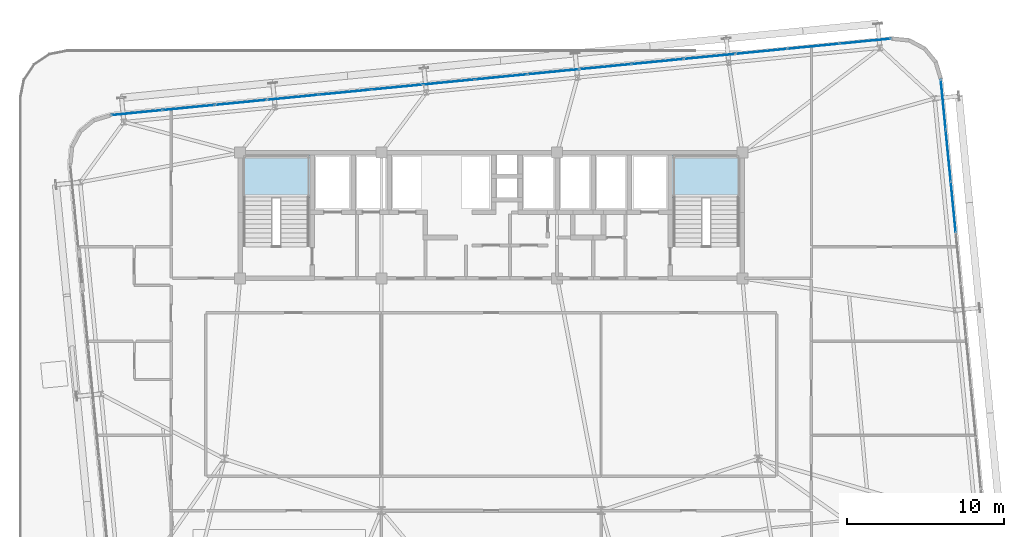
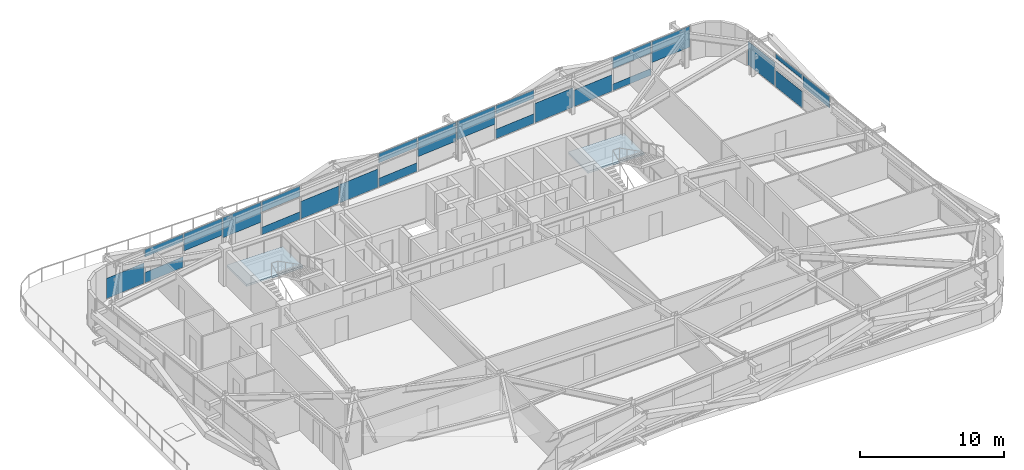
# One storey, part 35 of 51: 24 plates, 2 slabs, 4 elements without a shape of their own.
"""IFC4 building model written with IfcOpenShell, lengths in metres."""

import ifcopenshell
import ifcopenshell.guid

model = None  # the IFC model being written
_history = None  # IfcOwnerHistory: only IFC2X3 demands one
_inside = {}  # id of a spatial element -> (the spatial element, [elements in it])
_under = {}  # id of a project, library or spatial element -> (it, [spatial elements below it])
_declared = {}  # id of a project -> (the project, [libraries it declares])
_typed = {}  # id of a type object -> (the type object, [elements of that type])
_made_of = {}  # id of a material, layer set ... -> (it, [elements and type objects made of it])


def new_model(schema):
    """Start an empty IFC model of exactly this schema.

    Asked for "IFC4X3", IfcOpenShell would pick the latest addendum, in which some entities
    have other attributes; the version numbers below select the first issue.
    IFC2X3 requires an IfcOwnerHistory on every rooted entity: one is made here for all.
    """
    global model, _history
    if schema == "IFC4X3":
        model = ifcopenshell.file(schema_version=(4, 3, 0, 0))
    else:
        model = ifcopenshell.file(schema=schema)
    _inside.clear()
    _under.clear()
    _declared.clear()
    _typed.clear()
    _made_of.clear()
    _history = None
    if model.schema == "IFC2X3":
        org = make("IfcOrganization", Name="unknown")
        user = make(
            "IfcPersonAndOrganization",
            ThePerson=make("IfcPerson", FamilyName="unknown"),
            TheOrganization=org,
        )
        app = make(
            "IfcApplication",
            ApplicationDeveloper=org,
            Version="unknown",
            ApplicationFullName="unknown",
            ApplicationIdentifier="unknown",
        )
        _history = make(
            "IfcOwnerHistory",
            OwningUser=user,
            OwningApplication=app,
            ChangeAction="ADDED",
            CreationDate=0,
        )
    return model


def make(cls, **values):
    """One entity of the class cls with the attributes given. An attribute that is None is left unset."""
    return model.create_entity(
        cls, **{name: value for name, value in values.items() if value is not None}
    )


def rooted(cls, **values):
    """An entity with a GlobalId (a new one), such as an element, a storey or a relation."""
    return make(cls, GlobalId=ifcopenshell.guid.new(), OwnerHistory=_history, **values)


def si_unit(unit_type, name, prefix=None):
    """IfcSIUnit, for example si_unit("LENGTHUNIT", "METRE", prefix="MILLI")."""
    return make("IfcSIUnit", UnitType=unit_type, Prefix=prefix, Name=name)


def assignment(units):
    """IfcUnitAssignment: the units of a project."""
    return None if units is None else make("IfcUnitAssignment", Units=units)


def point(xyz):
    """IfcCartesianPoint."""
    return None if xyz is None else make("IfcCartesianPoint", Coordinates=xyz)


def direction(xyz):
    """IfcDirection."""
    return None if xyz is None else make("IfcDirection", DirectionRatios=xyz)


def frame(location, z_axis=None, x_axis=None):
    """IfcAxis2Placement3D, a coordinate frame: its origin and axes. An axis left out is left unset."""
    return make(
        "IfcAxis2Placement3D",
        Location=point(location),
        Axis=direction(z_axis),
        RefDirection=direction(x_axis),
    )


def frame_2d(location, x_axis=None):
    """IfcAxis2Placement2D, a coordinate frame in the plane: its origin and x axis."""
    return make(
        "IfcAxis2Placement2D", Location=point(location), RefDirection=direction(x_axis)
    )


def origin():
    """The frame at (0, 0, 0) with its axes left unset."""
    return frame((0.0, 0.0, 0.0))


def origin_2d():
    """The frame at (0, 0) in the plane with its x axis left unset."""
    return frame_2d((0.0, 0.0))


def place(relative_to, where):
    """IfcLocalPlacement: puts the frame where relative to a parent placement (None: the world)."""
    return make(
        "IfcLocalPlacement", PlacementRelTo=relative_to, RelativePlacement=where
    )


def context(
    kind, dimensions, precision=None, world=None, true_north=None, identifier=None
):
    """IfcGeometricRepresentationContext, for example the 3D "Model" context."""
    return make(
        "IfcGeometricRepresentationContext",
        ContextIdentifier=identifier,
        ContextType=kind,
        CoordinateSpaceDimension=dimensions,
        Precision=precision,
        WorldCoordinateSystem=world,
        TrueNorth=true_north,
    )


def subcontext(parent, identifier, kind, view, scale=None):
    """IfcGeometricRepresentationSubContext, for example "Body" below "Model"."""
    return make(
        "IfcGeometricRepresentationSubContext",
        ContextIdentifier=identifier,
        ContextType=kind,
        ParentContext=parent,
        TargetScale=scale,
        TargetView=view,
    )


def project(units=None, contexts=None):
    """IfcProject with its units and contexts."""
    return rooted(
        "IfcProject",
        Name="project",
        RepresentationContexts=contexts,
        UnitsInContext=assignment(units),
    )


def spatial(cls, under=None, at=None, **own):
    """A site, building, storey or space (cls), placed at a placement, below another one or the project."""
    s = rooted(cls, ObjectPlacement=at, **own)
    if under is not None:
        _under.setdefault(under.id(), (under, []))[1].append(s)
    return s


def polyline(points):
    """IfcPolyline through the points."""
    return make("IfcPolyline", Points=[point(p) for p in points])


def profile(cls, at=None, kind="AREA", **sizes):
    """A parametric profile (cls). Its sizes go by their IFC names, for example OverallWidth=200.0."""
    return make(cls, ProfileType=kind, Position=at, **sizes)


def rectangle(**sizes):
    """IfcRectangleProfileDef."""
    return profile("IfcRectangleProfileDef", **sizes)


def outline(outer, holes=None, kind="AREA"):
    """IfcArbitraryClosedProfileDef: a profile drawn as a closed curve; with holes, ...WithVoids."""
    if holes is None:
        return make("IfcArbitraryClosedProfileDef", ProfileType=kind, OuterCurve=outer)
    return make(
        "IfcArbitraryProfileDefWithVoids",
        ProfileType=kind,
        OuterCurve=outer,
        InnerCurves=holes,
    )


def extrude(swept, where, along, depth):
    """IfcExtrudedAreaSolid: the profile swept, set in the frame where, extruded along a direction by depth."""
    return make(
        "IfcExtrudedAreaSolid",
        SweptArea=swept,
        Position=where,
        ExtrudedDirection=direction(along),
        Depth=depth,
    )


def shape(context_of_items, identifier, shape_type, items):
    """IfcShapeRepresentation: the items that make up one representation, for example the "Body"."""
    return make(
        "IfcShapeRepresentation",
        ContextOfItems=context_of_items,
        RepresentationIdentifier=identifier,
        RepresentationType=shape_type,
        Items=items,
    )


def source(mapping_origin, context_of_items, identifier, shape_type, items):
    """IfcRepresentationMap: a shape defined once, which mapped items show again and again."""
    return make(
        "IfcRepresentationMap",
        MappingOrigin=mapping_origin,
        MappedRepresentation=shape(context_of_items, identifier, shape_type, items),
    )


def transform(
    local_origin,
    x_axis=None,
    y_axis=None,
    z_axis=None,
    scale=None,
    scale2=None,
    scale3=None,
    uniform=True,
):
    """IfcCartesianTransformationOperator3D, or its non-uniform kind. x_axis, y_axis, z_axis: its Axis1, 2, 3."""
    if uniform:
        return make(
            "IfcCartesianTransformationOperator3D",
            Axis1=direction(x_axis),
            Axis2=direction(y_axis),
            LocalOrigin=point(local_origin),
            Scale=scale,
            Axis3=direction(z_axis),
        )
    return make(
        "IfcCartesianTransformationOperator3DnonUniform",
        Axis1=direction(x_axis),
        Axis2=direction(y_axis),
        LocalOrigin=point(local_origin),
        Scale=scale,
        Axis3=direction(z_axis),
        Scale2=scale2,
        Scale3=scale3,
    )


def mapped(mapping_source, mapping_target):
    """IfcMappedItem: shows the shape of a source again, moved by a transform."""
    return make(
        "IfcMappedItem", MappingSource=mapping_source, MappingTarget=mapping_target
    )


def material(Name=None, Category=None):
    """IfcMaterial."""
    return make("IfcMaterial", Name=Name, Category=Category)


def layer(
    of_material, thickness, ventilated=None, Name=None, Category=None, Priority=None
):
    """IfcMaterialLayer: one layer of a wall or slab, of a material (None: an air gap)."""
    return make(
        "IfcMaterialLayer",
        Material=of_material,
        LayerThickness=thickness,
        IsVentilated=ventilated,
        Name=Name,
        Category=Category,
        Priority=Priority,
    )


def layer_set(layers, Name=None):
    """IfcMaterialLayerSet."""
    return make("IfcMaterialLayerSet", MaterialLayers=layers, LayerSetName=Name)


def made_of(thing, what):
    """Note that an element or type object is made of a material, layer set ...; save() writes the relation."""
    if what is not None:
        _made_of.setdefault(what.id(), (what, []))[1].append(thing)
    return thing


def type_object(cls, material=None, **own):
    """A type object (cls), such as IfcWallType, which elements share."""
    return made_of(rooted(cls, **own), material)


def element(
    cls,
    number,
    at=None,
    inside=None,
    cuts=None,
    type_object=None,
    material=None,
    context=None,
    identifier="Body",
    shape_type=None,
    held_by="IfcProductDefinitionShape",
    body=None,
    shapes=None,
    **own,
):
    """One element of the class cls, such as IfcWall. Its Tag is "e" and its number.

    at: its placement. inside: the storey or other place that contains it. cuts: it is an
    opening in that element (IfcRelVoidsElement). A single representation is given by context,
    identifier, shape_type and body (its items); several are given by shapes. held_by: the class
    of the entity that holds the representations. save() writes the other relations.
    """
    e = rooted(cls, Tag="e%d" % number, ObjectPlacement=at, **own)
    if body is not None:
        shapes = [shape(context, identifier, shape_type, body)]
    if shapes is not None:
        e.Representation = make(held_by, Representations=shapes)
    if inside is not None:
        _inside.setdefault(inside.id(), (inside, []))[1].append(e)
    if cuts is not None:
        rooted(
            "IfcRelVoidsElement", RelatingBuildingElement=cuts, RelatedOpeningElement=e
        )
    if type_object is not None:
        _typed.setdefault(type_object.id(), (type_object, []))[1].append(e)
    return made_of(e, material)


def aggregate(whole, parts):
    """IfcRelAggregates: a whole, such as a stair, and the parts it consists of."""
    return rooted("IfcRelAggregates", RelatingObject=whole, RelatedObjects=parts)


def save(model, path):
    """Write the relations noted so far, then the file.

    IfcRelAggregates (storeys below a building ...), IfcRelContainedInSpatialStructure (elements
    in a storey), IfcRelDefinesByType, IfcRelAssociatesMaterial and IfcRelDeclares: one each for
    every whole, place, type object, material and project.
    """
    for whole, parts in _under.values():
        aggregate(whole, parts)
    for where, things in _inside.values():
        rooted(
            "IfcRelContainedInSpatialStructure",
            RelatedElements=things,
            RelatingStructure=where,
        )
    for kind, things in _typed.values():
        rooted("IfcRelDefinesByType", RelatedObjects=things, RelatingType=kind)
    for what, things in _made_of.values():
        rooted("IfcRelAssociatesMaterial", RelatedObjects=things, RelatingMaterial=what)
    for by, libraries in _declared.values():
        rooted("IfcRelDeclares", RelatingContext=by, RelatedDefinitions=libraries)
    model.write(path)


model = new_model("IFC4")

# Units and contexts
model_context = context("Model", 3, precision=1e-05, world=origin(), true_north=direction((0.0, 1.0)))
body_context = subcontext(model_context, "Body", "Model", "MODEL_VIEW")
ifc_project = project(units=[si_unit("LENGTHUNIT", "METRE"), si_unit("AREAUNIT", "SQUARE_METRE"), si_unit("VOLUMEUNIT", "CUBIC_METRE"), si_unit("PLANEANGLEUNIT", "RADIAN"), si_unit("MASSUNIT", "GRAM", prefix="KILO")], contexts=[model_context])

# Site, building, storey
site_placement = place(None, origin())
site = spatial("IfcSite", under=ifc_project, at=site_placement, CompositionType="ELEMENT")
building_placement = place(site_placement, origin())
building = spatial("IfcBuilding", under=site, at=building_placement, Name="Taldren Reach Tower", CompositionType="ELEMENT")
storey_placement = place(building_placement, frame((0.0, 0.0, 65.10009765625)))
storey = spatial("IfcBuildingStorey", under=building, at=storey_placement, Name="L19", CompositionType="ELEMENT", Elevation=65.10009765625)

# Stair, slab
ifc_material_1 = material(Name="Concrete S50 (50 MPa)", Category="concrete")
stair_type = type_object("IfcStairType", Name="ST-HT-315", PredefinedType="HALF_TURN_STAIR", material=ifc_material_1)
stair_1_placement = place(storey_placement, origin())
stair_1 = element("IfcStair", 1, at=stair_1_placement, inside=storey, type_object=stair_type, Name="Fire-isolated exit stair ST1 L19", PredefinedType="HALF_TURN_STAIR")
ifc_layer_1 = layer(ifc_material_1, 0.179931640625)
ifc_layer_set_1 = layer_set([ifc_layer_1], Name="Concrete S50 (50 MPa)")
slab_type = type_object("IfcSlabType", Name="SL-LAND-180", PredefinedType="LANDING", material=ifc_layer_set_1)
slab_1_placement = place(storey_placement, frame((0.0, 0.0, 1.39501953125)))
slab_1 = element("IfcSlab", 2, at=slab_1_placement, type_object=slab_type, Name="ST1 landing 1", PredefinedType="LANDING", context=body_context, shape_type="SweptSolid", body=[
    extrude(outline(polyline([(19.0400390625, 29.135009765625), (23.56005859375, 29.135009765625), (23.56005859375, 31.8701171875), (19.0400390625, 31.8701171875), (19.0400390625, 29.135009765625)])), origin(), (0.0, 0.0, 1.0), 0.179931640625),
])
aggregate(stair_1, [slab_1])

stair_2_placement = place(storey_placement, origin())
stair_2 = element("IfcStair", 3, at=stair_2_placement, inside=storey, type_object=stair_type, Name="Fire-isolated exit stair ST2 L19", PredefinedType="HALF_TURN_STAIR")
slab_2_placement = place(storey_placement, frame((0.0, 0.0, 1.39501953125)))
slab_2 = element("IfcSlab", 4, at=slab_2_placement, type_object=slab_type, Name="ST2 landing 1", PredefinedType="LANDING", context=body_context, shape_type="SweptSolid", body=[
    extrude(outline(polyline([(46.43994140625, 29.135009765625), (50.9599609375, 29.135009765625), (50.9599609375, 31.8701171875), (46.43994140625, 31.8701171875), (46.43994140625, 29.135009765625)])), origin(), (0.0, 0.0, 1.0), 0.179931640625),
])
aggregate(stair_2, [slab_2])

# Curtain wall, plates
ifc_material_2 = material(Name="Aluminium and Low-E Glass Unitised System", Category="aluminium")
ifc_layer_2 = layer(ifc_material_2, 0.159912109375)
ifc_layer_set_2 = layer_set([ifc_layer_2], Name="Aluminium and Low-E Glass Unitised System")
curtain_wall_type = type_object("IfcCurtainWallType", Name="CW-SYS-3", PredefinedType="NOTDEFINED", material=ifc_layer_set_2)
curtain_wall_1_placement = place(storey_placement, origin())
curtain_wall_1 = element("IfcCurtainWall", 5, at=curtain_wall_1_placement, inside=storey, type_object=curtain_wall_type, Name="Unitised curtain wall CW-L19-N", PredefinedType="NOTDEFINED")
ifc_material_3 = material(Name="Solar-Control Double Glazed IGU", Category="glass")
ifc_layer_3 = layer(ifc_material_3, 0.031982421875)
ifc_layer_set_3 = layer_set([ifc_layer_3], Name="Solar-Control Double Glazed IGU")
plate_type = type_object("IfcPlateType", Name="CW-PNL-IGU32", PredefinedType="CURTAIN_PANEL", material=ifc_layer_set_3)
shared_shape_1 = source(origin(), body_context, "Body", "SweptSolid", [
    extrude(rectangle(XDim=3.23583984375, YDim=0.031982421875, at=origin_2d()), origin(), (0.0, 0.0, 1.0), 1.72509765625),
])
plate_1_placement = place(storey_placement, frame((12.42578125, 34.550537109375, 0.054931640625), z_axis=(0.0, 0.0, 1.0), x_axis=(-0.995227390247, -0.097582999046, 0.0)))
plate_1 = element("IfcPlate", 6, at=plate_1_placement, type_object=plate_type, Name="CW-3 panel 15.1 part 1", PredefinedType="CURTAIN_PANEL", context=body_context, shape_type="MappedRepresentation", body=[
    mapped(shared_shape_1, transform((0.0, 0.0, 0.0), scale=1.0)),
])
shared_shape_2 = source(origin(), body_context, "Body", "SweptSolid", [
    extrude(rectangle(XDim=3.268310546875, YDim=0.031982421875, at=origin_2d()), origin(), (0.0, 0.0, 1.0), 0.88818359375),
])
plate_2_placement = place(storey_placement, frame((15.72705078125, 34.874267578125, 0.054931640625), z_axis=(0.0, 0.0, 1.0), x_axis=(-0.995227390247, -0.097582999046, 0.0)))
plate_2 = element("IfcPlate", 7, at=plate_2_placement, type_object=plate_type, Name="CW-3 panel 14.1 part 1", PredefinedType="CURTAIN_PANEL", context=body_context, shape_type="MappedRepresentation", body=[
    mapped(shared_shape_2, transform((0.0, 0.0, 0.0), scale=1.0)),
])
shared_shape_3 = source(origin(), body_context, "Body", "SweptSolid", [
    extrude(rectangle(XDim=3.268310546875, YDim=0.031982421875, at=origin_2d()), origin(), (0.0, 0.0, 1.0), 0.626953125),
])
plate_3_placement = place(storey_placement, frame((15.72705078125, 34.874267578125, 2.248046875), z_axis=(0.0, 0.0, 1.0), x_axis=(-0.995227390247, -0.097582999046, 0.0)))
plate_3 = element("IfcPlate", 8, at=plate_3_placement, type_object=plate_type, Name="CW-3 panel 14.1 part 2", PredefinedType="CURTAIN_PANEL", context=body_context, shape_type="MappedRepresentation", body=[
    mapped(shared_shape_3, transform((0.0, 0.0, 0.0), scale=1.0)),
])
shared_shape_4 = source(origin(), body_context, "Body", "SweptSolid", [
    extrude(rectangle(XDim=3.268310546875, YDim=0.031982421875, at=origin_2d()), origin(), (0.0, 0.0, 1.0), 1.4638671875),
])
plate_4_placement = place(storey_placement, frame((19.04443359375, 35.199462890625, 1.4111328125), z_axis=(0.0, 0.0, 1.0), x_axis=(-0.995227390247, -0.097582999046, 0.0)))
plate_4 = element("IfcPlate", 9, at=plate_4_placement, type_object=plate_type, Name="CW-3 panel 13.1 part 1", PredefinedType="CURTAIN_PANEL", context=body_context, shape_type="MappedRepresentation", body=[
    mapped(shared_shape_4, transform((0.0, 0.0, 0.0), scale=1.0)),
])
shared_shape_5 = source(origin(), body_context, "Body", "SweptSolid", [
    extrude(rectangle(XDim=3.268310546875, YDim=0.031982421875, at=origin_2d()), origin(), (0.0, 0.0, 1.0), 1.704833984375),
])
plate_5_placement = place(storey_placement, frame((22.36181640625, 35.52490234375, 1.169921875), z_axis=(0.0, 0.0, 1.0), x_axis=(-0.995227390247, -0.097582999046, 0.0)))
plate_5 = element("IfcPlate", 10, at=plate_5_placement, type_object=plate_type, Name="CW-3 panel 12.1 part 1", PredefinedType="CURTAIN_PANEL", context=body_context, shape_type="MappedRepresentation", body=[
    mapped(shared_shape_5, transform((0.0, 0.0, 0.0), scale=1.0)),
])
shared_shape_6 = source(origin(), body_context, "Body", "SweptSolid", [
    extrude(rectangle(XDim=3.268310546875, YDim=0.031982421875, at=origin_2d()), origin(), (0.0, 0.0, 1.0), 0.647216796875),
])
plate_6_placement = place(storey_placement, frame((25.67919921875, 35.85009765625, 0.05517578125), z_axis=(0.0, 0.0, 1.0), x_axis=(-0.995227390247, -0.097582999046, 0.0)))
plate_6 = element("IfcPlate", 11, at=plate_6_placement, type_object=plate_type, Name="CW-3 panel 11.1 part 1", PredefinedType="CURTAIN_PANEL", context=body_context, shape_type="MappedRepresentation", body=[
    mapped(shared_shape_6, transform((0.0, 0.0, 0.0), scale=1.0)),
])
shared_shape_7 = source(origin(), body_context, "Body", "SweptSolid", [
    extrude(rectangle(XDim=3.268310546875, YDim=0.031982421875, at=origin_2d()), origin(), (0.0, 0.0, 1.0), 0.867919921875),
])
plate_7_placement = place(storey_placement, frame((25.67919921875, 35.85009765625, 2.0068359375), z_axis=(0.0, 0.0, 1.0), x_axis=(-0.995227390247, -0.097582999046, 0.0)))
plate_7 = element("IfcPlate", 12, at=plate_7_placement, type_object=plate_type, Name="CW-3 panel 11.1 part 2", PredefinedType="CURTAIN_PANEL", context=body_context, shape_type="MappedRepresentation", body=[
    mapped(shared_shape_7, transform((0.0, 0.0, 0.0), scale=1.0)),
])
shared_shape_8 = source(origin(), body_context, "Body", "SweptSolid", [
    extrude(rectangle(XDim=3.268310546875, YDim=0.031982421875, at=origin_2d()), origin(), (0.0, 0.0, 1.0), 1.484130859375),
])
plate_8_placement = place(storey_placement, frame((28.996826171875, 36.17529296875, 0.0546875), z_axis=(0.0, 0.0, 1.0), x_axis=(-0.995227390247, -0.097582999046, 0.0)))
plate_8 = element("IfcPlate", 13, at=plate_8_placement, type_object=plate_type, Name="CW-3 panel 10.1 part 1", PredefinedType="CURTAIN_PANEL", context=body_context, shape_type="MappedRepresentation", body=[
    mapped(shared_shape_8, transform((0.0, 0.0, 0.0), scale=1.0)),
])
shared_shape_9 = source(origin(), body_context, "Body", "SweptSolid", [
    extrude(rectangle(XDim=3.268310546875, YDim=0.031982421875, at=origin_2d()), origin(), (0.0, 0.0, 1.0), 1.564453125),
])
plate_9_placement = place(storey_placement, frame((32.314208984375, 36.500732421875, 0.054931640625), z_axis=(0.0, 0.0, 1.0), x_axis=(-0.995227390247, -0.097582999046, 0.0)))
plate_9 = element("IfcPlate", 14, at=plate_9_placement, type_object=plate_type, Name="CW-3 panel 9.1 part 1", PredefinedType="CURTAIN_PANEL", context=body_context, shape_type="MappedRepresentation", body=[
    mapped(shared_shape_9, transform((0.0, 0.0, 0.0), scale=1.0)),
])
shared_shape_10 = source(origin(), body_context, "Body", "SweptSolid", [
    extrude(rectangle(XDim=3.268310546875, YDim=0.031982421875, at=origin_2d()), origin(), (0.0, 0.0, 1.0), 0.7275390625),
])
plate_10_placement = place(storey_placement, frame((35.631591796875, 36.825927734375, 0.054931640625), z_axis=(0.0, 0.0, 1.0), x_axis=(-0.995227390247, -0.097582999046, 0.0)))
plate_10 = element("IfcPlate", 15, at=plate_10_placement, type_object=plate_type, Name="CW-3 panel 8.1 part 1", PredefinedType="CURTAIN_PANEL", context=body_context, shape_type="MappedRepresentation", body=[
    mapped(shared_shape_10, transform((0.0, 0.0, 0.0), scale=1.0)),
])
shared_shape_11 = source(origin(), body_context, "Body", "SweptSolid", [
    extrude(rectangle(XDim=3.268310546875, YDim=0.031982421875, at=origin_2d()), origin(), (0.0, 0.0, 1.0), 0.78759765625),
])
plate_11_placement = place(storey_placement, frame((35.631591796875, 36.825927734375, 2.08740234375), z_axis=(0.0, 0.0, 1.0), x_axis=(-0.995227390247, -0.097582999046, 0.0)))
plate_11 = element("IfcPlate", 16, at=plate_11_placement, type_object=plate_type, Name="CW-3 panel 8.1 part 2", PredefinedType="CURTAIN_PANEL", context=body_context, shape_type="MappedRepresentation", body=[
    mapped(shared_shape_11, transform((0.0, 0.0, 0.0), scale=1.0)),
])
shared_shape_12 = source(origin(), body_context, "Body", "SweptSolid", [
    extrude(rectangle(XDim=3.268310546875, YDim=0.031982421875, at=origin_2d()), origin(), (0.0, 0.0, 1.0), 1.62451171875),
])
plate_12_placement = place(storey_placement, frame((38.948974609375, 37.151123046875, 1.25048828125), z_axis=(0.0, 0.0, 1.0), x_axis=(-0.995227390247, -0.097582999046, 0.0)))
plate_12 = element("IfcPlate", 17, at=plate_12_placement, type_object=plate_type, Name="CW-3 panel 7.1 part 1", PredefinedType="CURTAIN_PANEL", context=body_context, shape_type="MappedRepresentation", body=[
    mapped(shared_shape_12, transform((0.0, 0.0, 0.0), scale=1.0)),
])
shared_shape_13 = source(origin(), body_context, "Body", "SweptSolid", [
    extrude(rectangle(XDim=3.268310546875, YDim=0.031982421875, at=origin_2d()), origin(), (0.0, 0.0, 1.0), 1.544189453125),
])
plate_13_placement = place(storey_placement, frame((42.266357421875, 37.4765625, 1.33056640625), z_axis=(0.0, 0.0, 1.0), x_axis=(-0.995227390247, -0.097582999046, 0.0)))
plate_13 = element("IfcPlate", 18, at=plate_13_placement, type_object=plate_type, Name="CW-3 panel 6.1 part 1", PredefinedType="CURTAIN_PANEL", context=body_context, shape_type="MappedRepresentation", body=[
    mapped(shared_shape_13, transform((0.0, 0.0, 0.0), scale=1.0)),
])
shared_shape_14 = source(origin(), body_context, "Body", "SweptSolid", [
    extrude(rectangle(XDim=3.268310546875, YDim=0.031982421875, at=origin_2d()), origin(), (0.0, 0.0, 1.0), 0.807861328125),
])
plate_14_placement = place(storey_placement, frame((45.583740234375, 37.8017578125, 0.05517578125), z_axis=(0.0, 0.0, 1.0), x_axis=(-0.995227390247, -0.097582999046, 0.0)))
plate_14 = element("IfcPlate", 19, at=plate_14_placement, type_object=plate_type, Name="CW-3 panel 5.1 part 1", PredefinedType="CURTAIN_PANEL", context=body_context, shape_type="MappedRepresentation", body=[
    mapped(shared_shape_14, transform((0.0, 0.0, 0.0), scale=1.0)),
])
shared_shape_15 = source(origin(), body_context, "Body", "SweptSolid", [
    extrude(rectangle(XDim=3.268310546875, YDim=0.031982421875, at=origin_2d()), origin(), (0.0, 0.0, 1.0), 0.707275390625),
])
plate_15_placement = place(storey_placement, frame((45.583740234375, 37.8017578125, 2.16748046875), z_axis=(0.0, 0.0, 1.0), x_axis=(-0.995227390247, -0.097582999046, 0.0)))
plate_15 = element("IfcPlate", 20, at=plate_15_placement, type_object=plate_type, Name="CW-3 panel 5.1 part 2", PredefinedType="CURTAIN_PANEL", context=body_context, shape_type="MappedRepresentation", body=[
    mapped(shared_shape_15, transform((0.0, 0.0, 0.0), scale=1.0)),
])
shared_shape_16 = source(origin(), body_context, "Body", "SweptSolid", [
    extrude(rectangle(XDim=3.268310546875, YDim=0.031982421875, at=origin_2d()), origin(), (0.0, 0.0, 1.0), 1.644775390625),
])
plate_16_placement = place(storey_placement, frame((48.9013671875, 38.126953125, 0.0546875), z_axis=(0.0, 0.0, 1.0), x_axis=(-0.995227390247, -0.097582999046, 0.0)))
plate_16 = element("IfcPlate", 21, at=plate_16_placement, type_object=plate_type, Name="CW-3 panel 4.1 part 1", PredefinedType="CURTAIN_PANEL", context=body_context, shape_type="MappedRepresentation", body=[
    mapped(shared_shape_16, transform((0.0, 0.0, 0.0), scale=1.0)),
])
shared_shape_17 = source(origin(), body_context, "Body", "SweptSolid", [
    extrude(rectangle(XDim=3.268310546875, YDim=0.031982421875, at=origin_2d()), origin(), (0.0, 0.0, 1.0), 1.40380859375),
])
plate_17_placement = place(storey_placement, frame((52.21875, 38.452392578125, 0.054931640625), z_axis=(0.0, 0.0, 1.0), x_axis=(-0.995227390247, -0.097582999046, 0.0)))
plate_17 = element("IfcPlate", 22, at=plate_17_placement, type_object=plate_type, Name="CW-3 panel 3.1 part 1", PredefinedType="CURTAIN_PANEL", context=body_context, shape_type="MappedRepresentation", body=[
    mapped(shared_shape_17, transform((0.0, 0.0, 0.0), scale=1.0)),
])
shared_shape_18 = source(origin(), body_context, "Body", "SweptSolid", [
    extrude(rectangle(XDim=3.268310546875, YDim=0.031982421875, at=origin_2d()), origin(), (0.0, 0.0, 1.0), 0.56689453125),
])
plate_18_placement = place(storey_placement, frame((55.5361328125, 38.777587890625, 0.054931640625), z_axis=(0.0, 0.0, 1.0), x_axis=(-0.995227390247, -0.097582999046, 0.0)))
plate_18 = element("IfcPlate", 23, at=plate_18_placement, type_object=plate_type, Name="CW-3 panel 2.1 part 1", PredefinedType="CURTAIN_PANEL", context=body_context, shape_type="MappedRepresentation", body=[
    mapped(shared_shape_18, transform((0.0, 0.0, 0.0), scale=1.0)),
])
shared_shape_19 = source(origin(), body_context, "Body", "SweptSolid", [
    extrude(rectangle(XDim=3.268310546875, YDim=0.031982421875, at=origin_2d()), origin(), (0.0, 0.0, 1.0), 0.9482421875),
])
plate_19_placement = place(storey_placement, frame((55.5361328125, 38.777587890625, 1.926513671875), z_axis=(0.0, 0.0, 1.0), x_axis=(-0.995227390247, -0.097582999046, 0.0)))
plate_19 = element("IfcPlate", 24, at=plate_19_placement, type_object=plate_type, Name="CW-3 panel 2.1 part 2", PredefinedType="CURTAIN_PANEL", context=body_context, shape_type="MappedRepresentation", body=[
    mapped(shared_shape_19, transform((0.0, 0.0, 0.0), scale=1.0)),
])
shared_shape_20 = source(origin(), body_context, "Body", "SweptSolid", [
    extrude(rectangle(XDim=3.23583984375, YDim=0.031982421875, at=origin_2d()), origin(), (0.0, 0.0, 1.0), 1.78515625),
])
plate_20_placement = place(storey_placement, frame((58.83740234375, 39.101318359375, 1.08984375), z_axis=(0.0, 0.0, 1.0), x_axis=(-0.995227390247, -0.097582999046, 0.0)))
plate_20 = element("IfcPlate", 25, at=plate_20_placement, type_object=plate_type, Name="CW-3 panel 1.1 part 1", PredefinedType="CURTAIN_PANEL", context=body_context, shape_type="MappedRepresentation", body=[
    mapped(shared_shape_20, transform((0.0, 0.0, 0.0), scale=1.0)),
])
aggregate(curtain_wall_1, [plate_20, plate_18, plate_19, plate_17, plate_16, plate_14, plate_15, plate_13, plate_12, plate_10, plate_11, plate_9, plate_8, plate_6, plate_7, plate_5, plate_4, plate_2, plate_3, plate_1])

curtain_wall_2_placement = place(storey_placement, origin())
curtain_wall_2 = element("IfcCurtainWall", 26, at=curtain_wall_2_placement, inside=storey, type_object=curtain_wall_type, Name="Unitised curtain wall CW-L19-E", PredefinedType="NOTDEFINED")
shared_shape_21 = source(origin(), body_context, "Body", "SweptSolid", [
    extrude(rectangle(XDim=3.18017578125, YDim=0.031982421875, at=origin_2d()), origin(), (0.0, 0.0, 1.0), 1.989501953125),
])
plate_21_placement = place(storey_placement, frame((63.79931640625, 35.051025390625, 0.0546875), z_axis=(0.0, 0.0, 1.0), x_axis=(-0.09758274098, 0.99522741555, 0.0)))
plate_21 = element("IfcPlate", 27, at=plate_21_placement, type_object=plate_type, Name="CW-3 panel 9.1 part 1", PredefinedType="CURTAIN_PANEL", context=body_context, shape_type="MappedRepresentation", body=[
    mapped(shared_shape_21, transform((0.0, 0.0, 0.0), scale=1.0)),
])
shared_shape_22 = source(origin(), body_context, "Body", "SweptSolid", [
    extrude(rectangle(XDim=3.212890625, YDim=0.031982421875, at=origin_2d()), origin(), (0.0, 0.0, 1.0), 1.401611328125),
])
plate_22_placement = place(storey_placement, frame((64.117431640625, 31.80517578125, 0.05517578125), z_axis=(0.0, 0.0, 1.0), x_axis=(-0.09758274098, 0.99522741555, 0.0)))
plate_22 = element("IfcPlate", 28, at=plate_22_placement, type_object=plate_type, Name="CW-3 panel 8.1 part 1", PredefinedType="CURTAIN_PANEL", context=body_context, shape_type="MappedRepresentation", body=[
    mapped(shared_shape_22, transform((0.0, 0.0, 0.0), scale=1.0)),
])
shared_shape_23 = source(origin(), body_context, "Body", "SweptSolid", [
    extrude(rectangle(XDim=3.212890625, YDim=0.031982421875, at=origin_2d()), origin(), (0.0, 0.0, 1.0), 0.36474609375),
])
plate_23_placement = place(storey_placement, frame((64.117431640625, 31.80517578125, 2.51025390625), z_axis=(0.0, 0.0, 1.0), x_axis=(-0.09758274098, 0.99522741555, 0.0)))
plate_23 = element("IfcPlate", 29, at=plate_23_placement, type_object=plate_type, Name="CW-3 panel 8.1 part 2", PredefinedType="CURTAIN_PANEL", context=body_context, shape_type="MappedRepresentation", body=[
    mapped(shared_shape_23, transform((0.0, 0.0, 0.0), scale=1.0)),
])
shared_shape_24 = source(origin(), body_context, "Body", "SweptSolid", [
    extrude(rectangle(XDim=3.212890625, YDim=0.031982421875, at=origin_2d()), origin(), (0.0, 0.0, 1.0), 0.95263671875),
])
plate_24_placement = place(storey_placement, frame((64.437255859375, 28.54296875, 1.92236328125), z_axis=(0.0, 0.0, 1.0), x_axis=(-0.09758274098, 0.99522741555, 0.0)))
plate_24 = element("IfcPlate", 30, at=plate_24_placement, type_object=plate_type, Name="CW-3 panel 7.1 part 2", PredefinedType="CURTAIN_PANEL", context=body_context, shape_type="MappedRepresentation", body=[
    mapped(shared_shape_24, transform((0.0, 0.0, 0.0), scale=1.0)),
])
aggregate(curtain_wall_2, [plate_24, plate_22, plate_23, plate_21])

save(model, "model.ifc")
